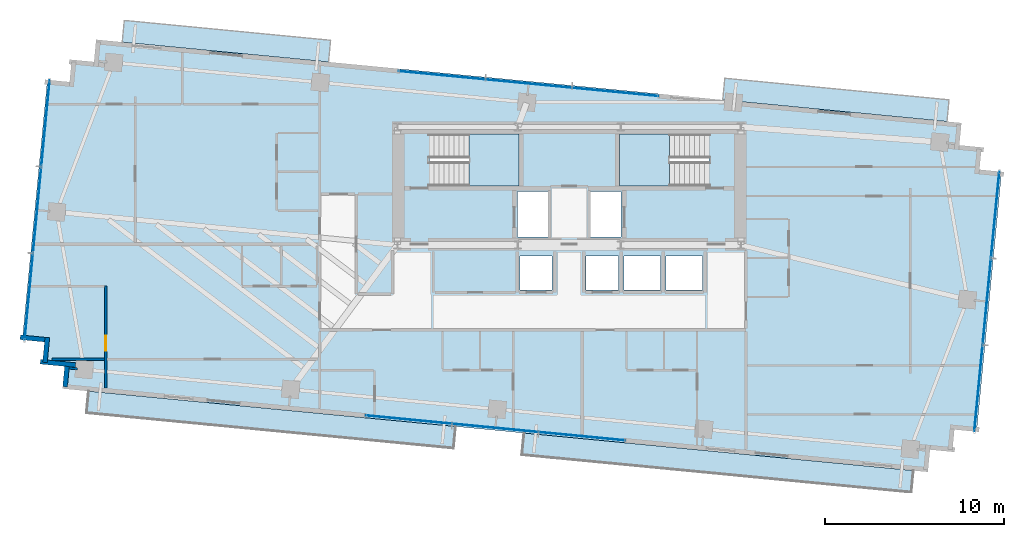
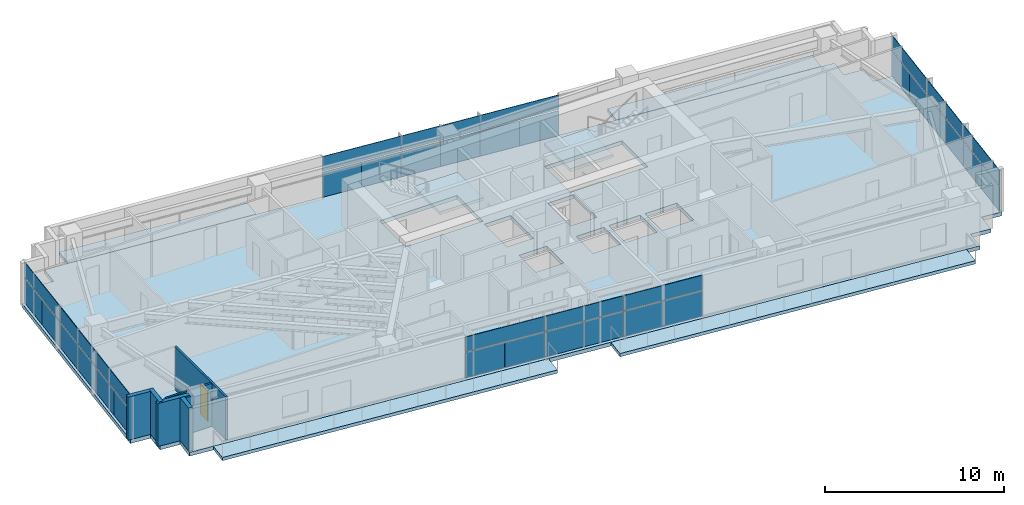
# One storey, part 14 of 20: 36 plates, 7 slabs, 7 walls, 1 door, 1 opening, 6 elements without a shape of their own.
"""IFC4 building model written with IfcOpenShell, lengths in metres."""

from ifc_helpers import new_model, si_unit, direction, frame, frame_2d, origin, origin_2d, place, context, subcontext, project, spatial, polyline, rectangle, outline, extrude, source, transform, mapped, material, layer, layer_set, type_object, type_shapes, element, fill, aggregate, save


model = new_model("IFC4")

# Units and contexts
model_context = context("Model", 3, precision=1e-05, world=origin(), true_north=direction((0.0, 1.0)))
body_context = subcontext(model_context, "Body", "Model", "MODEL_VIEW")
ifc_project = project(units=[si_unit("LENGTHUNIT", "METRE"), si_unit("AREAUNIT", "SQUARE_METRE"), si_unit("VOLUMEUNIT", "CUBIC_METRE"), si_unit("PLANEANGLEUNIT", "RADIAN"), si_unit("MASSUNIT", "GRAM", prefix="KILO")], contexts=[model_context])

# Site, building, storey
site_placement = place(None, origin())
site = spatial("IfcSite", under=ifc_project, at=site_placement, CompositionType="ELEMENT")
building_placement = place(site_placement, origin())
building = spatial("IfcBuilding", under=site, at=building_placement, Name="Astriad Promenade Condominiums", CompositionType="ELEMENT")
storey_placement = place(building_placement, frame((0.0, 0.0, 134.199951171875)))
storey = spatial("IfcBuildingStorey", under=building, at=storey_placement, Name="L38", CompositionType="ELEMENT", Elevation=134.199951171875)

# Slab
ifc_material_1 = material(Name="Concrete C50/60", Category="concrete")
ifc_layer_1 = layer(ifc_material_1, 0.260009765625)
ifc_layer_set_1 = layer_set([ifc_layer_1], Name="Concrete C50/60")
slab_type_1 = type_object("IfcSlabType", Name="CONCRETE TOWER FLOOR SLAB 260", PredefinedType="FLOOR", material=ifc_layer_set_1)
slab_1_placement = place(storey_placement, frame((0.0, 0.0, -0.260009765625)))
element("IfcSlab", 1, at=slab_1_placement, inside=storey, type_object=slab_type_1, Name="Structural Floor Slab (L38)", PredefinedType="FLOOR", context=body_context, shape_type="SweptSolid", body=[
    extrude(outline(polyline([(7.672607421875, 9.374267578125), (56.048828125, 4.716064453125), (56.168701171875, 5.960205078125), (57.412841796875, 5.840576171875), (57.53271484375, 7.084716796875), (58.77685546875, 6.96484375), (60.17626953125, 21.497802734375), (58.931884765625, 21.617431640625), (59.052001953125, 22.86181640625), (57.8076171875, 22.981689453125), (57.927490234375, 24.225830078125), (9.55126953125, 28.8837890625), (9.431396484375, 27.6396484375), (8.18701171875, 27.759521484375), (8.0673828125, 26.515380859375), (6.822998046875, 26.635009765625), (5.423583984375, 12.102294921875), (6.66796875, 11.982421875), (6.548095703125, 10.73828125), (7.79248046875, 10.618408203125), (7.672607421875, 9.374267578125)]), holes=[polyline([(28.175048828125, 20.699951171875), (33.175048828125, 20.699951171875), (33.175048828125, 23.60009765625), (28.175048828125, 23.60009765625), (28.175048828125, 20.699951171875)]), polyline([(38.824951171875, 20.699951171875), (43.824951171875, 20.699951171875), (43.824951171875, 23.60009765625), (38.824951171875, 23.60009765625), (38.824951171875, 20.699951171875)]), polyline([(33.10009765625, 17.85009765625), (34.800048828125, 17.85009765625), (34.800048828125, 20.39990234375), (33.10009765625, 20.39990234375), (33.10009765625, 17.85009765625)]), polyline([(37.199951171875, 17.85009765625), (38.89990234375, 17.85009765625), (38.89990234375, 20.39990234375), (37.199951171875, 20.39990234375), (37.199951171875, 17.85009765625)]), polyline([(33.25, 14.89990234375), (35.050048828125, 14.89990234375), (35.050048828125, 16.800048828125), (33.25, 16.800048828125), (33.25, 14.89990234375)]), polyline([(36.949951171875, 14.89990234375), (38.75, 14.89990234375), (38.75, 16.800048828125), (36.949951171875, 16.800048828125), (36.949951171875, 14.89990234375)]), polyline([(39.050048828125, 14.89990234375), (41.10009765625, 14.89990234375), (41.10009765625, 16.800048828125), (39.050048828125, 16.800048828125), (39.050048828125, 14.89990234375)]), polyline([(41.39990234375, 14.89990234375), (43.449951171875, 14.89990234375), (43.449951171875, 16.800048828125), (41.39990234375, 16.800048828125), (41.39990234375, 14.89990234375)])]), origin(), (0.0, 0.0, 1.0), 0.260009765625),
])

# Stair, slab
stair_type = type_object("IfcStairType", Name="STR-CORE-1350", PredefinedType="HALF_TURN_STAIR", material=ifc_material_1)
stair_1_placement = place(storey_placement, origin())
stair_1 = element("IfcStair", 2, at=stair_1_placement, inside=storey, type_object=stair_type, Name="L38 Enclosed Core Exit Stair ST-1", PredefinedType="HALF_TURN_STAIR")
ifc_layer_2 = layer(ifc_material_1, 0.219970703125)
ifc_layer_set_2 = layer_set([ifc_layer_2], Name="Concrete C50/60")
slab_type_2 = type_object("IfcSlabType", Name="SLB-LANDING-220", PredefinedType="LANDING", material=ifc_layer_set_2)
slab_2_placement = place(storey_placement, frame((0.0, 0.0, 1.400146484375)))
slab_2 = element("IfcSlab", 3, at=slab_2_placement, type_object=slab_type_2, Name="ST-1 landing 1", PredefinedType="LANDING", context=body_context, shape_type="SweptSolid", body=[
    extrude(outline(polyline([(30.389892578125, 20.699951171875), (33.199951171875, 20.699951171875), (33.199951171875, 23.60009765625), (30.389892578125, 23.60009765625), (30.389892578125, 20.699951171875)])), origin(), (0.0, 0.0, 1.0), 0.199951171875),
])
aggregate(stair_1, [slab_2])

stair_2_placement = place(storey_placement, origin())
stair_2 = element("IfcStair", 4, at=stair_2_placement, inside=storey, type_object=stair_type, Name="L38 Enclosed Core Exit Stair ST-2", PredefinedType="HALF_TURN_STAIR")
slab_3_placement = place(storey_placement, frame((0.0, 0.0, 1.400146484375)))
slab_3 = element("IfcSlab", 5, at=slab_3_placement, type_object=slab_type_2, Name="ST-2 landing 1", PredefinedType="LANDING", context=body_context, shape_type="SweptSolid", body=[
    extrude(outline(polyline([(41.610107421875, 23.60009765625), (38.800048828125, 23.60009765625), (38.800048828125, 20.699951171875), (41.610107421875, 20.699951171875), (41.610107421875, 23.60009765625)])), origin(), (0.0, 0.0, 1.0), 0.199951171875),
])
aggregate(stair_2, [slab_3])

# Slabs
ifc_material_2 = material(Name="Precast concrete C50/60", Category="concrete")
ifc_layer_3 = layer(ifc_material_2, 0.219970703125)
ifc_layer_set_3 = layer_set([ifc_layer_3], Name="Precast concrete C50/60")
slab_type_3 = type_object("IfcSlabType", Name="WHITE PRECAST CONCRETE WAVE BALCONY SLAB 220", PredefinedType="FLOOR", material=ifc_layer_set_3)
slab_4_placement = place(storey_placement, frame((0.0, 0.0, -0.219970703125)))
element("IfcSlab", 6, at=slab_4_placement, inside=storey, type_object=slab_type_3, Name="White Precast Wave Balcony Slab BAL-L38-SW", PredefinedType="FLOOR", context=body_context, shape_type="SweptSolid", body=[
    extrude(outline(polyline([(29.527099609375, 6.044189453125), (9.012939453125, 8.01953125), (9.129638671875, 9.23193359375), (29.643798828125, 7.256591796875), (29.527099609375, 6.044189453125)])), origin(), (0.0, 0.0, 1.0), 0.219970703125),
])
slab_5_placement = place(storey_placement, frame((0.0, 0.0, -0.219970703125)))
element("IfcSlab", 7, at=slab_5_placement, inside=storey, type_object=slab_type_3, Name="White Precast Wave Balcony Slab BAL-L38-SE", PredefinedType="FLOOR", context=body_context, shape_type="SweptSolid", body=[
    extrude(outline(polyline([(33.354248046875, 5.67578125), (55.11962890625, 3.579833984375), (55.236572265625, 4.794189453125), (33.47119140625, 6.889892578125), (33.354248046875, 5.67578125)])), origin(), (0.0, 0.0, 1.0), 0.219970703125),
])
slab_6_placement = place(storey_placement, frame((0.0, 0.0, -0.219970703125)))
element("IfcSlab", 8, at=slab_6_placement, inside=storey, type_object=slab_type_3, Name="White Precast Wave Balcony Slab BAL-L38-NW", PredefinedType="FLOOR", context=body_context, shape_type="SweptSolid", body=[
    extrude(outline(polyline([(11.12548828125, 29.9580078125), (22.657958984375, 28.847412109375), (22.541259765625, 27.635009765625), (11.008544921875, 28.74560546875), (11.12548828125, 29.9580078125)])), origin(), (0.0, 0.0, 1.0), 0.219970703125),
])
slab_7_placement = place(storey_placement, frame((0.0, 0.0, -0.219970703125)))
element("IfcSlab", 9, at=slab_7_placement, inside=storey, type_object=slab_type_3, Name="White Precast Wave Balcony Slab BAL-L38-NE", PredefinedType="FLOOR", context=body_context, shape_type="SweptSolid", body=[
    extrude(outline(polyline([(44.696044921875, 26.7255859375), (57.232177734375, 25.518310546875), (57.115478515625, 24.305908203125), (44.579345703125, 25.51318359375), (44.696044921875, 26.7255859375)])), origin(), (0.0, 0.0, 1.0), 0.219970703125),
])

# Curtain wall, plates
ifc_material_3 = material(Name="Anodised aluminium Black Dark Glass Unitised", Category="aluminium")
curtain_wall_type = type_object("IfcCurtainWallType", Name="CW-B34-DARK", PredefinedType="USERDEFINED", material=ifc_material_3)
curtain_wall_1_placement = place(storey_placement, origin())
curtain_wall_1 = element("IfcCurtainWall", 10, at=curtain_wall_1_placement, inside=storey, type_object=curtain_wall_type, Name="CW-L38-W", ObjectType="UNITISED_CURTAIN_WALL", PredefinedType="USERDEFINED")
ifc_material_4 = material(Name="Dark Tinted Low-E Laminated Glass", Category="glass")
ifc_layer_4 = layer(ifc_material_4, 0.035888671875)
ifc_layer_set_4 = layer_set([ifc_layer_4], Name="Dark Tinted Low-E Laminated Glass")
plate_type = type_object("IfcPlateType", Name="PNL-DARK-GLASS-36", PredefinedType="CURTAIN_PANEL", material=ifc_layer_set_4)
shared_shape_1 = source(origin(), body_context, "Body", "SweptSolid", [
    extrude(rectangle(XDim=2.42138671875, YDim=0.035888671875, at=origin_2d()), origin(), (0.0, 0.0, 1.0), 1.702880859375),
])
plate_1_placement = place(storey_placement, frame((5.669677734375, 13.30078125, 0.080078125), z_axis=(0.0, 0.0, 1.0), x_axis=(0.09584575252, 0.995396198367, 0.0)))
plate_1 = element("IfcPlate", 11, at=plate_1_placement, type_object=plate_type, Name="CW-L38-W-PNL-00-VL", PredefinedType="CURTAIN_PANEL", context=body_context, shape_type="MappedRepresentation", body=[
    mapped(shared_shape_1, transform((0.0, 0.0, 0.0), scale=1.0)),
])
plate_2_placement = place(storey_placement, frame((5.903076171875, 15.722900390625, 0.080078125), z_axis=(0.0, 0.0, 1.0), x_axis=(0.09584575252, 0.995396198367, 0.0)))
plate_2 = element("IfcPlate", 12, at=plate_2_placement, type_object=plate_type, Name="CW-L38-W-PNL-00-VR", PredefinedType="CURTAIN_PANEL", context=body_context, shape_type="MappedRepresentation", body=[
    mapped(shared_shape_1, transform((0.0, 0.0, 0.0), scale=1.0)),
])
plate_3_placement = place(storey_placement, frame((6.13623046875, 18.145263671875, 0.080078125), z_axis=(0.0, 0.0, 1.0), x_axis=(0.09584575252, 0.995396198367, 0.0)))
plate_3 = element("IfcPlate", 13, at=plate_3_placement, type_object=plate_type, Name="CW-L38-W-PNL-01-VL", PredefinedType="CURTAIN_PANEL", context=body_context, shape_type="MappedRepresentation", body=[
    mapped(shared_shape_1, transform((0.0, 0.0, 0.0), scale=1.0)),
])
plate_4_placement = place(storey_placement, frame((6.369384765625, 20.5673828125, 0.080078125), z_axis=(0.0, 0.0, 1.0), x_axis=(0.09584575252, 0.995396198367, 0.0)))
plate_4 = element("IfcPlate", 14, at=plate_4_placement, type_object=plate_type, Name="CW-L38-W-PNL-01-VR", PredefinedType="CURTAIN_PANEL", context=body_context, shape_type="MappedRepresentation", body=[
    mapped(shared_shape_1, transform((0.0, 0.0, 0.0), scale=1.0)),
])
plate_5_placement = place(storey_placement, frame((6.6025390625, 22.989501953125, 0.080078125), z_axis=(0.0, 0.0, 1.0), x_axis=(0.09584575252, 0.995396198367, 0.0)))
plate_5 = element("IfcPlate", 15, at=plate_5_placement, type_object=plate_type, Name="CW-L38-W-PNL-02-VL", PredefinedType="CURTAIN_PANEL", context=body_context, shape_type="MappedRepresentation", body=[
    mapped(shared_shape_1, transform((0.0, 0.0, 0.0), scale=1.0)),
])
plate_6_placement = place(storey_placement, frame((6.8359375, 25.41162109375, 0.080078125), z_axis=(0.0, 0.0, 1.0), x_axis=(0.09584575252, 0.995396198367, 0.0)))
plate_6 = element("IfcPlate", 16, at=plate_6_placement, type_object=plate_type, Name="CW-L38-W-PNL-02-VR", PredefinedType="CURTAIN_PANEL", context=body_context, shape_type="MappedRepresentation", body=[
    mapped(shared_shape_1, transform((0.0, 0.0, 0.0), scale=1.0)),
])

curtain_wall_2_placement = place(storey_placement, origin())
curtain_wall_2 = element("IfcCurtainWall", 17, at=curtain_wall_2_placement, inside=storey, type_object=curtain_wall_type, Name="CW-L38-E", ObjectType="UNITISED_CURTAIN_WALL", PredefinedType="USERDEFINED")
plate_7_placement = place(storey_placement, frame((59.930419921875, 20.299072265625, 0.080078125), z_axis=(0.0, 0.0, 1.0), x_axis=(-0.09584575252, -0.995396198367, 0.0)))
plate_7 = element("IfcPlate", 18, at=plate_7_placement, type_object=plate_type, Name="CW-L38-E-PNL-00-VL", PredefinedType="CURTAIN_PANEL", context=body_context, shape_type="MappedRepresentation", body=[
    mapped(shared_shape_1, transform((0.0, 0.0, 0.0), scale=1.0)),
])
plate_8_placement = place(storey_placement, frame((59.697021484375, 17.876953125, 0.080078125), z_axis=(0.0, 0.0, 1.0), x_axis=(-0.09584575252, -0.995396198367, 0.0)))
plate_8 = element("IfcPlate", 19, at=plate_8_placement, type_object=plate_type, Name="CW-L38-E-PNL-00-VR", PredefinedType="CURTAIN_PANEL", context=body_context, shape_type="MappedRepresentation", body=[
    mapped(shared_shape_1, transform((0.0, 0.0, 0.0), scale=1.0)),
])
plate_9_placement = place(storey_placement, frame((59.4638671875, 15.454833984375, 0.080078125), z_axis=(0.0, 0.0, 1.0), x_axis=(-0.09584575252, -0.995396198367, 0.0)))
plate_9 = element("IfcPlate", 20, at=plate_9_placement, type_object=plate_type, Name="CW-L38-E-PNL-01-VL", PredefinedType="CURTAIN_PANEL", context=body_context, shape_type="MappedRepresentation", body=[
    mapped(shared_shape_1, transform((0.0, 0.0, 0.0), scale=1.0)),
])
plate_10_placement = place(storey_placement, frame((59.230712890625, 13.03271484375, 0.080078125), z_axis=(0.0, 0.0, 1.0), x_axis=(-0.09584575252, -0.995396198367, 0.0)))
plate_10 = element("IfcPlate", 21, at=plate_10_placement, type_object=plate_type, Name="CW-L38-E-PNL-01-VR", PredefinedType="CURTAIN_PANEL", context=body_context, shape_type="MappedRepresentation", body=[
    mapped(shared_shape_1, transform((0.0, 0.0, 0.0), scale=1.0)),
])
plate_11_placement = place(storey_placement, frame((58.997314453125, 10.610595703125, 0.080078125), z_axis=(0.0, 0.0, 1.0), x_axis=(-0.09584575252, -0.995396198367, 0.0)))
plate_11 = element("IfcPlate", 22, at=plate_11_placement, type_object=plate_type, Name="CW-L38-E-PNL-02-VL", PredefinedType="CURTAIN_PANEL", context=body_context, shape_type="MappedRepresentation", body=[
    mapped(shared_shape_1, transform((0.0, 0.0, 0.0), scale=1.0)),
])
plate_12_placement = place(storey_placement, frame((58.76416015625, 8.1884765625, 0.080078125), z_axis=(0.0, 0.0, 1.0), x_axis=(-0.09584575252, -0.995396198367, 0.0)))
plate_12 = element("IfcPlate", 23, at=plate_12_placement, type_object=plate_type, Name="CW-L38-E-PNL-02-VR", PredefinedType="CURTAIN_PANEL", context=body_context, shape_type="MappedRepresentation", body=[
    mapped(shared_shape_1, transform((0.0, 0.0, 0.0), scale=1.0)),
])

# Plate
shared_shape_2 = source(origin(), body_context, "Body", "SweptSolid", [
    extrude(rectangle(XDim=4.854736328125, YDim=0.035888671875, at=origin_2d()), origin(), (0.0, 0.0, 1.0), 0.997314453125),
])
plate_13_placement = place(storey_placement, frame((5.786376953125, 14.511962890625, 1.86279296875), z_axis=(0.0, 0.0, 1.0), x_axis=(0.09584575252, 0.995396198367, 0.0)))
plate_13 = element("IfcPlate", 24, at=plate_13_placement, type_object=plate_type, Name="CW-L38-W-PNL-00-S", PredefinedType="CURTAIN_PANEL", context=body_context, shape_type="MappedRepresentation", body=[
    mapped(shared_shape_2, transform((0.0, 0.0, 0.0), scale=1.0)),
])

plate_14_placement = place(storey_placement, frame((6.252685546875, 19.356201171875, 1.86279296875), z_axis=(0.0, 0.0, 1.0), x_axis=(0.09584575252, 0.995396198367, 0.0)))
plate_14 = element("IfcPlate", 25, at=plate_14_placement, type_object=plate_type, Name="CW-L38-W-PNL-01-S", PredefinedType="CURTAIN_PANEL", context=body_context, shape_type="MappedRepresentation", body=[
    mapped(shared_shape_2, transform((0.0, 0.0, 0.0), scale=1.0)),
])

plate_15_placement = place(storey_placement, frame((6.71923828125, 24.200439453125, 1.86279296875), z_axis=(0.0, 0.0, 1.0), x_axis=(0.09584575252, 0.995396198367, 0.0)))
plate_15 = element("IfcPlate", 26, at=plate_15_placement, type_object=plate_type, Name="CW-L38-W-PNL-02-S", PredefinedType="CURTAIN_PANEL", context=body_context, shape_type="MappedRepresentation", body=[
    mapped(shared_shape_2, transform((0.0, 0.0, 0.0), scale=1.0)),
])

aggregate(curtain_wall_1, [plate_1, plate_2, plate_13, plate_3, plate_4, plate_14, plate_5, plate_6, plate_15])

plate_16_placement = place(storey_placement, frame((59.813720703125, 19.088134765625, 1.86279296875), z_axis=(0.0, 0.0, 1.0), x_axis=(-0.09584575252, -0.995396198367, 0.0)))
plate_16 = element("IfcPlate", 27, at=plate_16_placement, type_object=plate_type, Name="CW-L38-E-PNL-00-S", PredefinedType="CURTAIN_PANEL", context=body_context, shape_type="MappedRepresentation", body=[
    mapped(shared_shape_2, transform((0.0, 0.0, 0.0), scale=1.0)),
])

plate_17_placement = place(storey_placement, frame((59.34716796875, 14.243896484375, 1.86279296875), z_axis=(0.0, 0.0, 1.0), x_axis=(-0.09584575252, -0.995396198367, 0.0)))
plate_17 = element("IfcPlate", 28, at=plate_17_placement, type_object=plate_type, Name="CW-L38-E-PNL-01-S", PredefinedType="CURTAIN_PANEL", context=body_context, shape_type="MappedRepresentation", body=[
    mapped(shared_shape_2, transform((0.0, 0.0, 0.0), scale=1.0)),
])

plate_18_placement = place(storey_placement, frame((58.880615234375, 9.3994140625, 1.86279296875), z_axis=(0.0, 0.0, 1.0), x_axis=(-0.09584575252, -0.995396198367, 0.0)))
plate_18 = element("IfcPlate", 29, at=plate_18_placement, type_object=plate_type, Name="CW-L38-E-PNL-02-S", PredefinedType="CURTAIN_PANEL", context=body_context, shape_type="MappedRepresentation", body=[
    mapped(shared_shape_2, transform((0.0, 0.0, 0.0), scale=1.0)),
])

aggregate(curtain_wall_2, [plate_7, plate_8, plate_16, plate_9, plate_10, plate_17, plate_11, plate_12, plate_18])

# Curtain wall, plates
curtain_wall_3_placement = place(storey_placement, origin())
curtain_wall_3 = element("IfcCurtainWall", 30, at=curtain_wall_3_placement, inside=storey, type_object=curtain_wall_type, Name="CW-L38-N", ObjectType="UNITISED_CURTAIN_WALL", PredefinedType="USERDEFINED")
shared_shape_3 = source(origin(), body_context, "Body", "SweptSolid", [
    extrude(rectangle(XDim=2.41796875, YDim=0.035888671875, at=origin_2d()), origin(), (0.0, 0.0, 1.0), 1.702880859375),
])
plate_19_placement = place(storey_placement, frame((27.6796875, 27.0078125, 0.080078125), z_axis=(0.0, 0.0, 1.0), x_axis=(0.995396198367, -0.09584575252, 0.0)))
plate_19 = element("IfcPlate", 31, at=plate_19_placement, type_object=plate_type, Name="CW-L38-N-PNL-00-VL", PredefinedType="CURTAIN_PANEL", context=body_context, shape_type="MappedRepresentation", body=[
    mapped(shared_shape_3, transform((0.0, 0.0, 0.0), scale=1.0)),
])
plate_20_placement = place(storey_placement, frame((30.0986328125, 26.77490234375, 0.080078125), z_axis=(0.0, 0.0, 1.0), x_axis=(0.995396198367, -0.09584575252, 0.0)))
plate_20 = element("IfcPlate", 32, at=plate_20_placement, type_object=plate_type, Name="CW-L38-N-PNL-00-VR", PredefinedType="CURTAIN_PANEL", context=body_context, shape_type="MappedRepresentation", body=[
    mapped(shared_shape_3, transform((0.0, 0.0, 0.0), scale=1.0)),
])
plate_21_placement = place(storey_placement, frame((32.517333984375, 26.5419921875, 0.080078125), z_axis=(0.0, 0.0, 1.0), x_axis=(0.995396198367, -0.09584575252, 0.0)))
plate_21 = element("IfcPlate", 33, at=plate_21_placement, type_object=plate_type, Name="CW-L38-N-PNL-01-VL", PredefinedType="CURTAIN_PANEL", context=body_context, shape_type="MappedRepresentation", body=[
    mapped(shared_shape_3, transform((0.0, 0.0, 0.0), scale=1.0)),
])
plate_22_placement = place(storey_placement, frame((34.936279296875, 26.30908203125, 0.080078125), z_axis=(0.0, 0.0, 1.0), x_axis=(0.995396198367, -0.09584575252, 0.0)))
plate_22 = element("IfcPlate", 34, at=plate_22_placement, type_object=plate_type, Name="CW-L38-N-PNL-01-VR", PredefinedType="CURTAIN_PANEL", context=body_context, shape_type="MappedRepresentation", body=[
    mapped(shared_shape_3, transform((0.0, 0.0, 0.0), scale=1.0)),
])
plate_23_placement = place(storey_placement, frame((37.35498046875, 26.075927734375, 0.080078125), z_axis=(0.0, 0.0, 1.0), x_axis=(0.995396198367, -0.09584575252, 0.0)))
plate_23 = element("IfcPlate", 35, at=plate_23_placement, type_object=plate_type, Name="CW-L38-N-PNL-02-VL", PredefinedType="CURTAIN_PANEL", context=body_context, shape_type="MappedRepresentation", body=[
    mapped(shared_shape_3, transform((0.0, 0.0, 0.0), scale=1.0)),
])
plate_24_placement = place(storey_placement, frame((39.77392578125, 25.84326171875, 0.080078125), z_axis=(0.0, 0.0, 1.0), x_axis=(0.995396198367, -0.09584575252, 0.0)))
plate_24 = element("IfcPlate", 36, at=plate_24_placement, type_object=plate_type, Name="CW-L38-N-PNL-02-VR", PredefinedType="CURTAIN_PANEL", context=body_context, shape_type="MappedRepresentation", body=[
    mapped(shared_shape_3, transform((0.0, 0.0, 0.0), scale=1.0)),
])

curtain_wall_4_placement = place(storey_placement, origin())
curtain_wall_4 = element("IfcCurtainWall", 37, at=curtain_wall_4_placement, inside=storey, type_object=curtain_wall_type, Name="CW-L38-S", ObjectType="UNITISED_CURTAIN_WALL", PredefinedType="USERDEFINED")
plate_25_placement = place(storey_placement, frame((37.920166015625, 6.59228515625, 0.080078125), z_axis=(0.0, 0.0, 1.0), x_axis=(-0.995396198367, 0.09584575252, 0.0)))
plate_25 = element("IfcPlate", 38, at=plate_25_placement, type_object=plate_type, Name="CW-L38-S-PNL-00-VL", PredefinedType="CURTAIN_PANEL", context=body_context, shape_type="MappedRepresentation", body=[
    mapped(shared_shape_3, transform((0.0, 0.0, 0.0), scale=1.0)),
])
plate_26_placement = place(storey_placement, frame((35.50146484375, 6.8251953125, 0.080078125), z_axis=(0.0, 0.0, 1.0), x_axis=(-0.995396198367, 0.09584575252, 0.0)))
plate_26 = element("IfcPlate", 39, at=plate_26_placement, type_object=plate_type, Name="CW-L38-S-PNL-00-VR", PredefinedType="CURTAIN_PANEL", context=body_context, shape_type="MappedRepresentation", body=[
    mapped(shared_shape_3, transform((0.0, 0.0, 0.0), scale=1.0)),
])
plate_27_placement = place(storey_placement, frame((33.08251953125, 7.05810546875, 0.080078125), z_axis=(0.0, 0.0, 1.0), x_axis=(-0.995396198367, 0.09584575252, 0.0)))
plate_27 = element("IfcPlate", 40, at=plate_27_placement, type_object=plate_type, Name="CW-L38-S-PNL-01-VL", PredefinedType="CURTAIN_PANEL", context=body_context, shape_type="MappedRepresentation", body=[
    mapped(shared_shape_3, transform((0.0, 0.0, 0.0), scale=1.0)),
])
plate_28_placement = place(storey_placement, frame((30.663818359375, 7.291015625, 0.080078125), z_axis=(0.0, 0.0, 1.0), x_axis=(-0.995396198367, 0.09584575252, 0.0)))
plate_28 = element("IfcPlate", 41, at=plate_28_placement, type_object=plate_type, Name="CW-L38-S-PNL-01-VR", PredefinedType="CURTAIN_PANEL", context=body_context, shape_type="MappedRepresentation", body=[
    mapped(shared_shape_3, transform((0.0, 0.0, 0.0), scale=1.0)),
])
plate_29_placement = place(storey_placement, frame((28.244873046875, 7.52392578125, 0.080078125), z_axis=(0.0, 0.0, 1.0), x_axis=(-0.995396198367, 0.09584575252, 0.0)))
plate_29 = element("IfcPlate", 42, at=plate_29_placement, type_object=plate_type, Name="CW-L38-S-PNL-02-VL", PredefinedType="CURTAIN_PANEL", context=body_context, shape_type="MappedRepresentation", body=[
    mapped(shared_shape_3, transform((0.0, 0.0, 0.0), scale=1.0)),
])
plate_30_placement = place(storey_placement, frame((25.826171875, 7.7568359375, 0.080078125), z_axis=(0.0, 0.0, 1.0), x_axis=(-0.995396198367, 0.09584575252, 0.0)))
plate_30 = element("IfcPlate", 43, at=plate_30_placement, type_object=plate_type, Name="CW-L38-S-PNL-02-VR", PredefinedType="CURTAIN_PANEL", context=body_context, shape_type="MappedRepresentation", body=[
    mapped(shared_shape_3, transform((0.0, 0.0, 0.0), scale=1.0)),
])

# Plate
shared_shape_4 = source(origin(), body_context, "Body", "SweptSolid", [
    extrude(rectangle(XDim=4.847900390625, YDim=0.035888671875, at=origin_2d()), origin(), (0.0, 0.0, 1.0), 0.997314453125),
])
type_shapes(plate_type, [shared_shape_1, shared_shape_2, shared_shape_3, shared_shape_4])
plate_31_placement = place(storey_placement, frame((28.88916015625, 26.891357421875, 1.86279296875), z_axis=(0.0, 0.0, 1.0), x_axis=(0.995396198367, -0.09584575252, 0.0)))
plate_31 = element("IfcPlate", 44, at=plate_31_placement, type_object=plate_type, Name="CW-L38-N-PNL-00-S", PredefinedType="CURTAIN_PANEL", context=body_context, shape_type="MappedRepresentation", body=[
    mapped(shared_shape_4, transform((0.0, 0.0, 0.0), scale=1.0)),
])

plate_32_placement = place(storey_placement, frame((33.726806640625, 26.42529296875, 1.86279296875), z_axis=(0.0, 0.0, 1.0), x_axis=(0.995396198367, -0.09584575252, 0.0)))
plate_32 = element("IfcPlate", 45, at=plate_32_placement, type_object=plate_type, Name="CW-L38-N-PNL-01-S", PredefinedType="CURTAIN_PANEL", context=body_context, shape_type="MappedRepresentation", body=[
    mapped(shared_shape_4, transform((0.0, 0.0, 0.0), scale=1.0)),
])

plate_33_placement = place(storey_placement, frame((38.564453125, 25.959716796875, 1.86279296875), z_axis=(0.0, 0.0, 1.0), x_axis=(0.995396198367, -0.09584575252, 0.0)))
plate_33 = element("IfcPlate", 46, at=plate_33_placement, type_object=plate_type, Name="CW-L38-N-PNL-02-S", PredefinedType="CURTAIN_PANEL", context=body_context, shape_type="MappedRepresentation", body=[
    mapped(shared_shape_4, transform((0.0, 0.0, 0.0), scale=1.0)),
])

aggregate(curtain_wall_3, [plate_19, plate_20, plate_31, plate_21, plate_22, plate_32, plate_23, plate_24, plate_33])

plate_34_placement = place(storey_placement, frame((36.710693359375, 6.708740234375, 1.86279296875), z_axis=(0.0, 0.0, 1.0), x_axis=(-0.995396198367, 0.09584575252, 0.0)))
plate_34 = element("IfcPlate", 47, at=plate_34_placement, type_object=plate_type, Name="CW-L38-S-PNL-00-S", PredefinedType="CURTAIN_PANEL", context=body_context, shape_type="MappedRepresentation", body=[
    mapped(shared_shape_4, transform((0.0, 0.0, 0.0), scale=1.0)),
])

plate_35_placement = place(storey_placement, frame((31.873291015625, 7.174560546875, 1.86279296875), z_axis=(0.0, 0.0, 1.0), x_axis=(-0.995396198367, 0.09584575252, 0.0)))
plate_35 = element("IfcPlate", 48, at=plate_35_placement, type_object=plate_type, Name="CW-L38-S-PNL-01-S", PredefinedType="CURTAIN_PANEL", context=body_context, shape_type="MappedRepresentation", body=[
    mapped(shared_shape_4, transform((0.0, 0.0, 0.0), scale=1.0)),
])

plate_36_placement = place(storey_placement, frame((27.035400390625, 7.640380859375, 1.86279296875), z_axis=(0.0, 0.0, 1.0), x_axis=(-0.995396198367, 0.09584575252, 0.0)))
plate_36 = element("IfcPlate", 49, at=plate_36_placement, type_object=plate_type, Name="CW-L38-S-PNL-02-S", PredefinedType="CURTAIN_PANEL", context=body_context, shape_type="MappedRepresentation", body=[
    mapped(shared_shape_4, transform((0.0, 0.0, 0.0), scale=1.0)),
])

aggregate(curtain_wall_4, [plate_25, plate_26, plate_34, plate_27, plate_28, plate_35, plate_29, plate_30, plate_36])

# Walls
ifc_layer_5 = layer(ifc_material_2, 0.260009765625)
ifc_layer_set_5 = layer_set([ifc_layer_5], Name="Precast concrete C50/60")
wall_type_1 = type_object("IfcWallType", Name="WALL-EXT-TWR-260", PredefinedType="STANDARD", material=ifc_layer_set_5)
wall_1_placement = place(storey_placement, frame((8.400146484375, 10.6904296875, 0.0), z_axis=(0.0, 0.0, 1.0), x_axis=(-0.995391147587, 0.095898192396, 0.0)))
element("IfcWall", 50, at=wall_1_placement, inside=storey, type_object=wall_type_1, Name="W-SER-L38-00", PredefinedType="STANDARD", context=body_context, shape_type="SweptSolid", body=[
    extrude(rectangle(XDim=1.97802734375, YDim=0.260009765625, at=frame_2d((0.989013671875, 0.0))), origin(), (0.0, 0.0, 1.0), 2.93994140625),
])
wall_2_placement = place(storey_placement, frame((6.6884765625, 10.840087890625, 0.0), z_axis=(0.0, 0.0, 1.0), x_axis=(0.09589913835, 0.995391056452, 0.0)))
element("IfcWall", 51, at=wall_2_placement, inside=storey, type_object=wall_type_1, Name="W-SER-L38-01", PredefinedType="STANDARD", context=body_context, shape_type="SweptSolid", body=[
    extrude(rectangle(XDim=1.39501953125, YDim=0.260009765625, at=frame_2d((0.697509765625, 0.0))), origin(), (0.0, 0.0, 1.0), 2.93994140625),
])
wall_3_placement = place(storey_placement, frame((6.6953125, 12.110595703125, 0.0), z_axis=(0.0, 0.0, 1.0), x_axis=(-0.99540614245, 0.095742423056, 0.0)))
element("IfcWall", 52, at=wall_3_placement, inside=storey, type_object=wall_type_1, Name="W-SER-L38-02", PredefinedType="STANDARD", context=body_context, shape_type="SweptSolid", body=[
    extrude(rectangle(XDim=1.394775390625, YDim=0.260009765625, at=frame_2d((0.697265625, 0.0))), origin(), (0.0, 0.0, 1.0), 2.93994140625),
])
wall_4_placement = place(storey_placement, frame((7.81298828125, 9.476318359375, 0.0), z_axis=(0.0, 0.0, 1.0), x_axis=(0.09576095695, 0.995404359607, 0.0)))
element("IfcWall", 53, at=wall_4_placement, inside=storey, type_object=wall_type_1, Name="W-SER-L38-19", PredefinedType="STANDARD", context=body_context, shape_type="SweptSolid", body=[
    extrude(rectangle(XDim=1.14990234375, YDim=0.260009765625, at=frame_2d((0.574951171875, 0.0))), origin(), (0.0, 0.0, 1.0), 2.93994140625),
])

# Wall, opening, door
ifc_material_5 = material(Name="Acoustic Metal-Stud Gypsum Partition")
ifc_layer_6 = layer(ifc_material_5, 0.1201171875)
ifc_layer_set_6 = layer_set([ifc_layer_6], Name="Acoustic Metal-Stud Gypsum Partition")
wall_type_2 = type_object("IfcWallType", Name="WALL-PART-120", PredefinedType="PARTITIONING", material=ifc_layer_set_6)
wall_5_placement = place(storey_placement, frame((10.089111328125, 9.40478515625, 0.0), z_axis=(0.0, 0.0, 1.0), x_axis=(0.0, 1.0, 0.0)))
wall_5 = element("IfcWall", 54, at=wall_5_placement, inside=storey, type_object=wall_type_2, Name="PT-L38-W1-CAP1", PredefinedType="PARTITIONING", context=body_context, shape_type="SweptSolid", body=[
    extrude(rectangle(XDim=5.6953125, YDim=0.1201171875, at=frame_2d((2.84765625, 0.0))), origin(), (0.0, 0.0, 1.0), 2.93994140625),
])
opening_placement = place(wall_5_placement, frame((2.07421875, 0.0, 0.0)))
opening = element("IfcOpeningElement", 55, at=opening_placement, cuts=wall_5, Name="Opening D-INT-085", PredefinedType="OPENING", context=body_context, shape_type="SweptSolid", body=[
    extrude(rectangle(XDim=0.85009765625, YDim=2.050048828125, at=frame_2d((0.425048828125, 1.02490234375))), frame((0.0, 0.070068359375, 0.0), z_axis=(0.0, -1.0, 0.0), x_axis=(1.0, 0.0, 0.0)), (0.0, 0.0, 1.0), 0.14013671875),
])
ifc_material_6 = material(Name="Painted Solid-Core Timber Room Door", Category="wood")
door_type = type_object("IfcDoorType", Name="D-INT-085", OperationType="NOTDEFINED", PredefinedType="DOOR", material=ifc_material_6)
shared_shape_5 = source(origin(), body_context, "Body", "SweptSolid", [
    extrude(rectangle(XDim=0.85009765625, YDim=2.050048828125, at=frame_2d((0.425048828125, 1.02490234375))), frame((0.0, 0.02490234375, 0.0), z_axis=(0.0, -1.0, 0.0), x_axis=(1.0, 0.0, 0.0)), (0.0, 0.0, 1.0), 0.050048828125),
])
type_shapes(door_type, [shared_shape_5])
door_placement = place(opening_placement, origin())
door = element("IfcDoor", 56, at=door_placement, inside=storey, type_object=door_type, Name="D-CAP1-L38-W1", OperationType="SINGLE_SWING_RIGHT", OverallHeight=2.050048828125, OverallWidth=0.85009765625, PredefinedType="DOOR", context=body_context, shape_type="MappedRepresentation", body=[
    mapped(shared_shape_5, transform((0.0, 0.0, 0.0), scale=1.0)),
])
fill(opening, door)

# Walls
wall_6_placement = place(storey_placement, frame((7.085693359375, 11.01611328125, 0.0), z_axis=(0.0, 0.0, 1.0), x_axis=(1.0, 0.0, 0.0)))
element("IfcWall", 57, at=wall_6_placement, inside=storey, type_object=wall_type_2, Name="PT-L38-W1-CAPH2", PredefinedType="PARTITIONING", context=body_context, shape_type="SweptSolid", body=[
    extrude(rectangle(XDim=2.94140625, YDim=0.1201171875, at=frame_2d((1.470703125, 0.0))), origin(), (0.0, 0.0, 1.0), 2.93994140625),
])
wall_7_placement = place(storey_placement, frame((8.502197265625, 10.479736328125, 0.0), z_axis=(0.0, 0.0, 1.0), x_axis=(-0.995384576284, 0.09596637586, 0.0)))
element("IfcWall", 58, at=wall_7_placement, inside=storey, type_object=wall_type_2, Name="PT-PIL-L38-PC01-8", PredefinedType="PARTITIONING", context=body_context, shape_type="SweptSolid", body=[
    extrude(rectangle(XDim=0.4580078125, YDim=0.1201171875, at=frame_2d((0.22900390625, 0.0))), origin(), (0.0, 0.0, 1.0), 2.93994140625),
])

save(model, "model.ifc")
